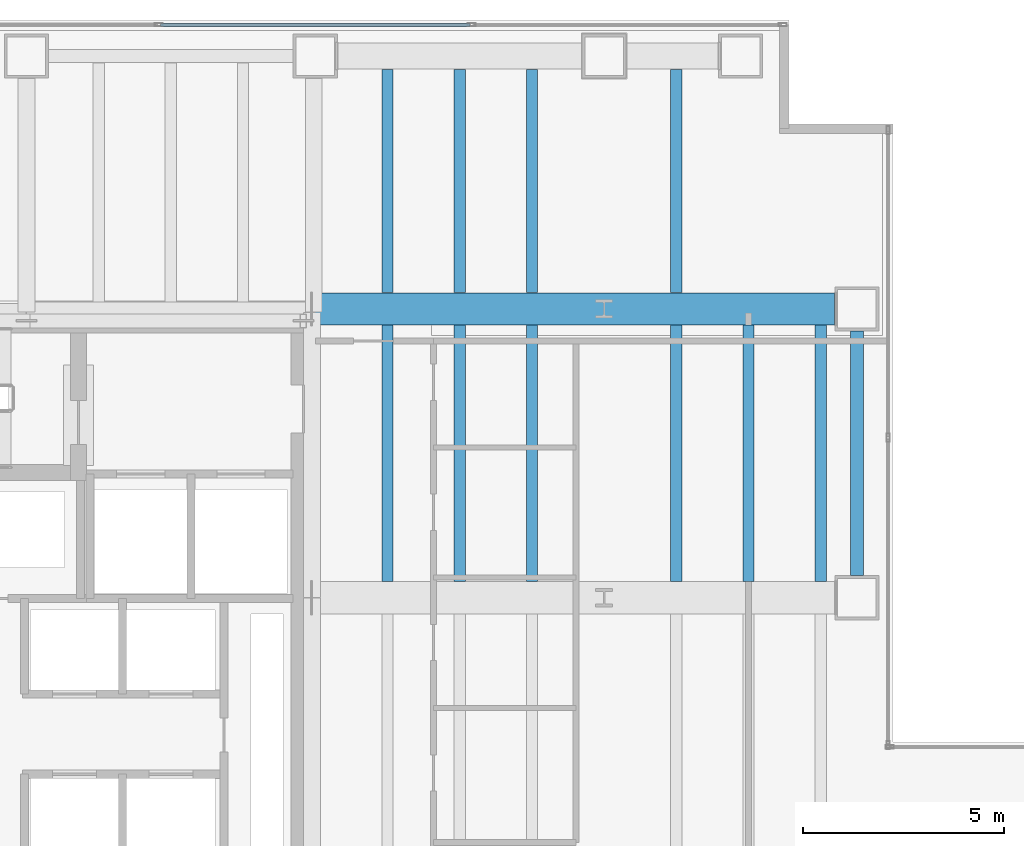
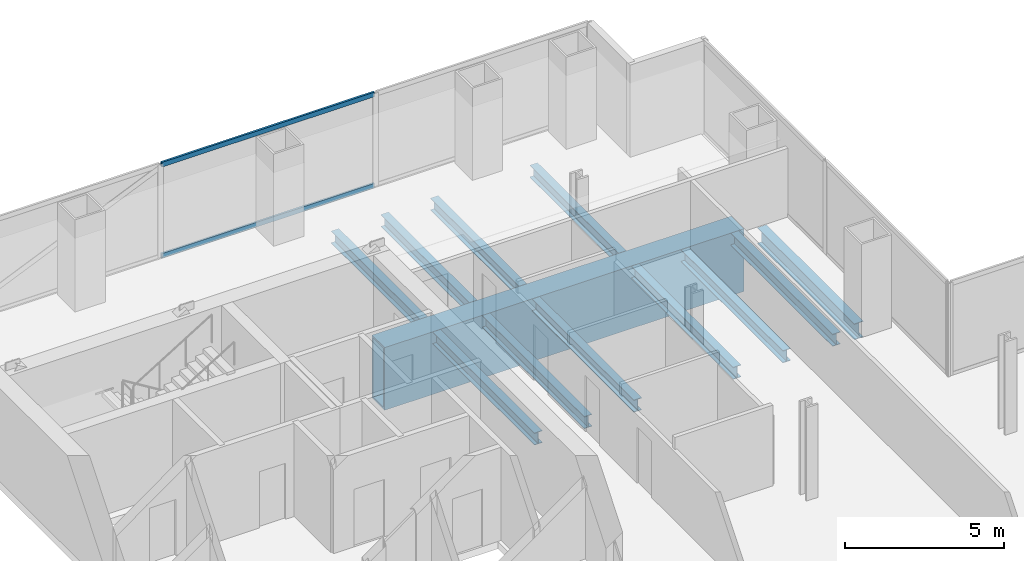
# One storey, part 17 of 24: 12 beams, 2 members, 1 element without a shape of its own.
"""IFC4 building model written with IfcOpenShell, lengths in metres."""

from ifc_helpers import new_model, si_unit, direction, frame, origin, origin_2d, place, context, subcontext, project, spatial, hollow_rectangle, i_section, extrude, material, material_profile, profile_set, type_object, element, aggregate, save


model = new_model("IFC4")

# Units and contexts
model_context = context("Model", 3, precision=1e-05, world=origin(), true_north=direction((0.0, 1.0)))
body_context = subcontext(model_context, "Body", "Model", "MODEL_VIEW")
ifc_project = project(units=[si_unit("LENGTHUNIT", "METRE"), si_unit("AREAUNIT", "SQUARE_METRE"), si_unit("VOLUMEUNIT", "CUBIC_METRE"), si_unit("PLANEANGLEUNIT", "RADIAN"), si_unit("MASSUNIT", "GRAM", prefix="KILO")], contexts=[model_context])

# Site, building, storey
site_placement = place(None, origin())
site = spatial("IfcSite", under=ifc_project, at=site_placement, CompositionType="ELEMENT")
building_placement = place(site_placement, origin())
building = spatial("IfcBuilding", under=site, at=building_placement, Name="Cobrela Telecom Tower", CompositionType="ELEMENT")
storey_placement = place(building_placement, frame((0.0, 0.0, 31.14990234375)))
storey = spatial("IfcBuildingStorey", under=building, at=storey_placement, Name="L07", CompositionType="ELEMENT", Elevation=31.14990234375)

# Beams
ifc_material_1 = material(Name="Steel ASTM A992 Grade 50", Category="steel")
ifc_material_profile_1 = material_profile(ifc_material_1, i_section(OverallWidth=0.281982421875, OverallDepth=0.467041015625, WebThickness=0.01220703125, FlangeThickness=0.01953125, FilletRadius=0.012939453125, at=origin_2d()), Name="W18X86")
ifc_profile_set_1 = profile_set([ifc_material_profile_1], Name="Steel ASTM A992 Grade 50")
beam_type_1 = type_object("IfcBeamType", Name="BM-JOIST-02", PredefinedType="JOIST", material=ifc_profile_set_1)
beam_1_placement = place(storey_placement, frame((16.199951171875, 29.205078125, -0.513427734375), z_axis=(0.0, 1.0, 0.0), x_axis=(-1.0, 0.0, 0.0)))
element("IfcBeam", 1, at=beam_1_placement, inside=storey, type_object=beam_type_1, Name="L07 Secondary Composite Floor Beam J11", PredefinedType="JOIST", context=body_context, shape_type="SweptSolid", body=[
    extrude(i_section(OverallWidth=0.281982421875, OverallDepth=0.467041015625, WebThickness=0.01220703125, FlangeThickness=0.01953125, FilletRadius=0.012939453125, at=origin_2d()), origin(), (0.0, 0.0, 1.0), 6.389892578125),
])
beam_2_placement = place(storey_placement, frame((16.199951171875, 36.405029296875, -0.513427734375), z_axis=(0.0, 1.0, 0.0), x_axis=(-1.0, 0.0, 0.0)))
element("IfcBeam", 2, at=beam_2_placement, inside=storey, type_object=beam_type_1, Name="L07 Secondary Composite Floor Beam J12", PredefinedType="JOIST", context=body_context, shape_type="SweptSolid", body=[
    extrude(i_section(OverallWidth=0.281982421875, OverallDepth=0.467041015625, WebThickness=0.01220703125, FlangeThickness=0.01953125, FilletRadius=0.012939453125, at=origin_2d()), origin(), (0.0, 0.0, 1.0), 5.56494140625),
])
beam_3_placement = place(storey_placement, frame((18.0, 29.205078125, -0.513427734375), z_axis=(0.0, 1.0, 0.0), x_axis=(-1.0, 0.0, 0.0)))
element("IfcBeam", 3, at=beam_3_placement, inside=storey, type_object=beam_type_1, Name="L07 Secondary Composite Floor Beam J17", PredefinedType="JOIST", context=body_context, shape_type="SweptSolid", body=[
    extrude(i_section(OverallWidth=0.281982421875, OverallDepth=0.467041015625, WebThickness=0.01220703125, FlangeThickness=0.01953125, FilletRadius=0.012939453125, at=origin_2d()), origin(), (0.0, 0.0, 1.0), 6.389892578125),
])
beam_4_placement = place(storey_placement, frame((18.0, 36.405029296875, -0.513427734375), z_axis=(0.0, 1.0, 0.0), x_axis=(-1.0, 0.0, 0.0)))
element("IfcBeam", 4, at=beam_4_placement, inside=storey, type_object=beam_type_1, Name="L07 Secondary Composite Floor Beam J18", PredefinedType="JOIST", context=body_context, shape_type="SweptSolid", body=[
    extrude(i_section(OverallWidth=0.281982421875, OverallDepth=0.467041015625, WebThickness=0.01220703125, FlangeThickness=0.01953125, FilletRadius=0.012939453125, at=origin_2d()), origin(), (0.0, 0.0, 1.0), 5.56494140625),
])
beam_5_placement = place(storey_placement, frame((19.800048828125, 29.205078125, -0.513427734375), z_axis=(0.0, 1.0, 0.0), x_axis=(-1.0, 0.0, 0.0)))
element("IfcBeam", 5, at=beam_5_placement, inside=storey, type_object=beam_type_1, Name="L07 Secondary Composite Floor Beam J23", PredefinedType="JOIST", context=body_context, shape_type="SweptSolid", body=[
    extrude(i_section(OverallWidth=0.281982421875, OverallDepth=0.467041015625, WebThickness=0.01220703125, FlangeThickness=0.01953125, FilletRadius=0.012939453125, at=origin_2d()), origin(), (0.0, 0.0, 1.0), 6.389892578125),
])
beam_6_placement = place(storey_placement, frame((19.800048828125, 36.405029296875, -0.513427734375), z_axis=(0.0, 1.0, 0.0), x_axis=(-1.0, 0.0, 0.0)))
element("IfcBeam", 6, at=beam_6_placement, inside=storey, type_object=beam_type_1, Name="L07 Secondary Composite Floor Beam J24", PredefinedType="JOIST", context=body_context, shape_type="SweptSolid", body=[
    extrude(i_section(OverallWidth=0.281982421875, OverallDepth=0.467041015625, WebThickness=0.01220703125, FlangeThickness=0.01953125, FilletRadius=0.012939453125, at=origin_2d()), origin(), (0.0, 0.0, 1.0), 5.56494140625),
])
beam_7_placement = place(storey_placement, frame((23.39990234375, 29.205078125, -0.513427734375), z_axis=(0.0, 1.0, 0.0), x_axis=(-1.0, 0.0, 0.0)))
element("IfcBeam", 7, at=beam_7_placement, inside=storey, type_object=beam_type_1, Name="L07 Secondary Composite Floor Beam J29", PredefinedType="JOIST", context=body_context, shape_type="SweptSolid", body=[
    extrude(i_section(OverallWidth=0.281982421875, OverallDepth=0.467041015625, WebThickness=0.01220703125, FlangeThickness=0.01953125, FilletRadius=0.012939453125, at=origin_2d()), origin(), (0.0, 0.0, 1.0), 6.389892578125),
])
beam_8_placement = place(storey_placement, frame((23.39990234375, 36.405029296875, -0.513427734375), z_axis=(0.0, 1.0, 0.0), x_axis=(-1.0, 0.0, 0.0)))
element("IfcBeam", 8, at=beam_8_placement, inside=storey, type_object=beam_type_1, Name="L07 Secondary Composite Floor Beam J30", PredefinedType="JOIST", context=body_context, shape_type="SweptSolid", body=[
    extrude(i_section(OverallWidth=0.281982421875, OverallDepth=0.467041015625, WebThickness=0.01220703125, FlangeThickness=0.01953125, FilletRadius=0.012939453125, at=origin_2d()), origin(), (0.0, 0.0, 1.0), 5.56494140625),
])
for number, where, z_axis, x_axis, name in (
    (9, (25.199951171875, 29.205078125, -0.513427734375), (0.0, 1.0, 0.0), (-1.0, 0.0, 0.0), "L07 Secondary Composite Floor Beam J35"),
    (10, (27.0, 29.205078125, -0.513427734375), (0.0, 1.0, 0.0), (-1.0, 0.0, 0.0), "L07 Secondary Composite Floor Beam J40"),
):
    element("IfcBeam", number, at=place(storey_placement, frame(where, z_axis=z_axis, x_axis=x_axis)), inside=storey, type_object=beam_type_1, Name=name, PredefinedType="JOIST", context=body_context, shape_type="SweptSolid", body=[
        extrude(i_section(OverallWidth=0.281982421875, OverallDepth=0.467041015625, WebThickness=0.01220703125, FlangeThickness=0.01953125, FilletRadius=0.012939453125, at=origin_2d()), origin(), (0.0, 0.0, 1.0), 6.389892578125),
    ])
ifc_material_profile_2 = material_profile(ifc_material_1, i_section(OverallWidth=0.324951171875, OverallDepth=0.612060546875, WebThickness=0.0126953125, FlangeThickness=0.01904296875, FilletRadius=0.014892578125, at=origin_2d()), Name="W24X104")
ifc_profile_set_2 = profile_set([ifc_material_profile_2], Name="Steel ASTM A992 Grade 50")
beam_type_2 = type_object("IfcBeamType", Name="BM-SPAND-02", PredefinedType="SPANDREL", material=ifc_profile_set_2)
beam_9_placement = place(storey_placement, frame((27.89990234375, 29.35498046875, -0.5859375), z_axis=(0.0, 1.0, 0.0), x_axis=(-1.0, 0.0, 0.0)))
element("IfcBeam", 11, at=beam_9_placement, inside=storey, type_object=beam_type_2, Name="L07 Perimeter Spandrel Y26", PredefinedType="SPANDREL", context=body_context, shape_type="SweptSolid", body=[
    extrude(i_section(OverallWidth=0.324951171875, OverallDepth=0.612060546875, WebThickness=0.0126953125, FlangeThickness=0.01904296875, FilletRadius=0.014892578125, at=origin_2d()), origin(), (0.0, 0.0, 1.0), 6.090087890625),
])
ifc_material_2 = material(Name="Steel ASTM A572 Grade 50", Category="steel")
ifc_material_profile_3 = material_profile(ifc_material_2, hollow_rectangle(XDim=0.800048828125, YDim=2.39990234375, WallThickness=0.070068359375, at=origin_2d()), Name="BOX 2400x800x70")
ifc_profile_set_3 = profile_set([ifc_material_profile_3], Name="Steel ASTM A572 Grade 50")
beam_type_3 = type_object("IfcBeamType", Name="BM-TRG-2400", PredefinedType="USERDEFINED", material=ifc_profile_set_3)
beam_10_placement = place(storey_placement, frame((14.324951171875, 36.0, -1.47998046875), z_axis=(1.0, 0.0, 0.0), x_axis=(0.0, 1.0, 0.0)))
element("IfcBeam", 12, at=beam_10_placement, inside=storey, type_object=beam_type_3, Name="L07 Transfer Girder 06", ObjectType="GIRDER", PredefinedType="USERDEFINED", context=body_context, shape_type="SweptSolid", body=[
    extrude(hollow_rectangle(XDim=0.800048828125, YDim=2.39990234375, WallThickness=0.070068359375, at=origin_2d()), origin(), (0.0, 0.0, 1.0), 13.02001953125),
])

# Curtain wall, members
ifc_material_3 = material(Name="Anodized Bronze Aluminium 6063-T6", Category="aluminium")
curtain_wall_type = type_object("IfcCurtainWallType", Name="CW-SYS-DATA", PredefinedType="USERDEFINED", material=ifc_material_3)
curtain_wall_placement = place(storey_placement, origin())
curtain_wall = element("IfcCurtainWall", 13, at=curtain_wall_placement, inside=storey, type_object=curtain_wall_type, Name="L07 Unitised Bronze Curtain Wall 07", ObjectType="UNITISED CURTAIN WALL", PredefinedType="USERDEFINED")
ifc_material_profile_4 = material_profile(ifc_material_3, hollow_rectangle(XDim=0.074951171875, YDim=0.179931640625, WallThickness=0.00390625, at=origin_2d()), Name="ALU 75x180x4")
ifc_profile_set_4 = profile_set([ifc_material_profile_4], Name="Anodized Bronze Aluminium 6063-T6")
member_type = type_object("IfcMemberType", Name="CW-SYS-DATA-TRN", PredefinedType="USERDEFINED", material=ifc_profile_set_4)
member_1_placement = place(storey_placement, frame((10.543212890625, 43.080078125, 0.03759765625), z_axis=(1.0, 0.0, 0.0), x_axis=(0.0, 1.0, 0.0)))
member_1 = element("IfcMember", 14, at=member_1_placement, type_object=member_type, Name="CW-DATA transom 2.1", ObjectType="TRANSOM", PredefinedType="USERDEFINED", context=body_context, shape_type="SweptSolid", body=[
    extrude(hollow_rectangle(XDim=0.074951171875, YDim=0.179931640625, WallThickness=0.00390625, at=origin_2d()), origin(), (0.0, 0.0, 1.0), 7.71337890625),
])
member_2_placement = place(storey_placement, frame((10.543212890625, 43.080078125, 3.53271484375), z_axis=(1.0, 0.0, 0.0), x_axis=(0.0, 1.0, 0.0)))
member_2 = element("IfcMember", 15, at=member_2_placement, type_object=member_type, Name="CW-DATA transom 2.2", ObjectType="TRANSOM", PredefinedType="USERDEFINED", context=body_context, shape_type="SweptSolid", body=[
    extrude(hollow_rectangle(XDim=0.074951171875, YDim=0.179931640625, WallThickness=0.00390625, at=origin_2d()), origin(), (0.0, 0.0, 1.0), 7.71337890625),
])
aggregate(curtain_wall, [member_1, member_2])

save(model, "model.ifc")
